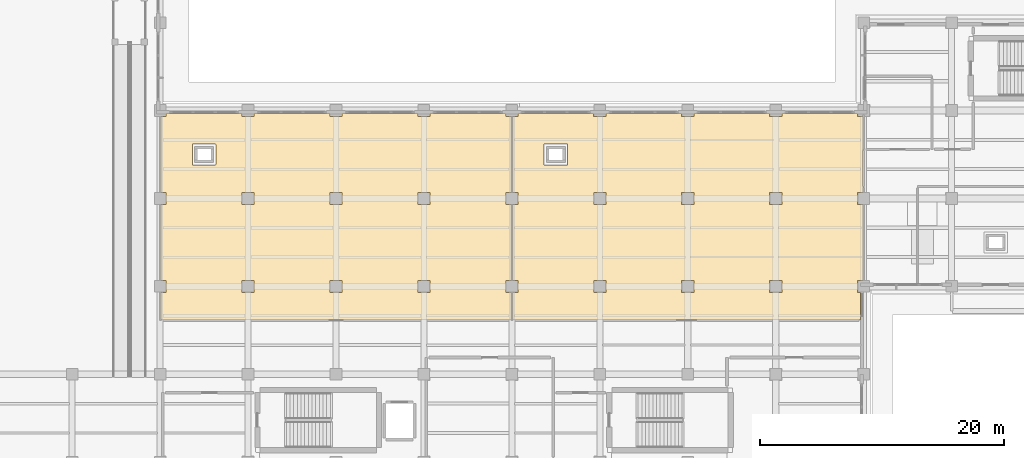
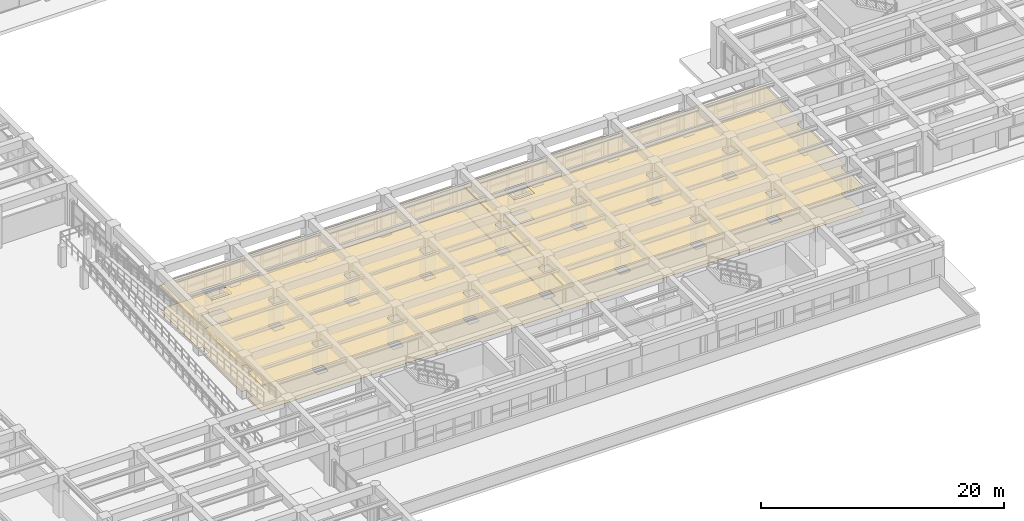
# One storey, part 57 of 64: 4 coverings.
"""IFC4 building model written with IfcOpenShell, lengths in metres."""

from ifc_helpers import new_model, si_unit, direction, frame, origin, place, context, subcontext, project, spatial, polyline, outline, extrude, material, layer, layer_set, type_object, element, save


model = new_model("IFC4")

# Units and contexts
model_context = context("Model", 3, precision=1e-05, world=origin(), true_north=direction((0.0, 1.0)))
body_context = subcontext(model_context, "Body", "Model", "MODEL_VIEW")
ifc_project = project(units=[si_unit("LENGTHUNIT", "METRE"), si_unit("AREAUNIT", "SQUARE_METRE"), si_unit("VOLUMEUNIT", "CUBIC_METRE"), si_unit("PLANEANGLEUNIT", "RADIAN"), si_unit("MASSUNIT", "GRAM", prefix="KILO")], contexts=[model_context])

# Site, building, storey
site_placement = place(None, origin())
site = spatial("IfcSite", under=ifc_project, at=site_placement, CompositionType="ELEMENT")
building_placement = place(site_placement, origin())
building = spatial("IfcBuilding", under=site, at=building_placement, Name="Solenvale Faculty of Natural Sciences", CompositionType="ELEMENT")
storey_placement = place(building_placement, origin())
storey = spatial("IfcBuildingStorey", under=building, at=storey_placement, Name="L00", CompositionType="ELEMENT", Elevation=0.0)

# Coverings
ifc_material_1 = material(Name="Acoustic mineral-timber ceiling", Category="wood")
ifc_layer_1 = layer(ifc_material_1, 0.02490234375)
ifc_layer_set_1 = layer_set([ifc_layer_1], Name="Acoustic mineral-timber ceiling")
covering_type_1 = type_object("IfcCoveringType", Name="COV-CEIL-AC25", PredefinedType="CEILING", material=ifc_layer_set_1)
covering_1_placement = place(storey_placement, frame((0.0, 0.0, 2.574951171875)))
element("IfcCovering", 1, at=covering_1_placement, inside=storey, type_object=covering_type_1, Name="L00 Seminar Room Acoustic Ceiling", PredefinedType="CEILING", context=body_context, shape_type="SweptSolid", body=[
    extrude(outline(polyline([(64.27001953125, 50.159912109375), (64.299072265625, 50.135986328125), (64.300048828125, 49.910888671875), (64.31103515625, 49.89990234375), (65.29296875, 49.89990234375), (65.300048828125, 50.133056640625), (65.330078125, 50.159912109375), (71.469970703125, 50.159912109375), (71.4990234375, 50.135986328125), (71.5, 49.910888671875), (71.510986328125, 49.89990234375), (72.492919921875, 49.89990234375), (72.5, 50.133056640625), (72.530029296875, 50.159912109375), (78.669921875, 50.159912109375), (78.698974609375, 50.135986328125), (78.699951171875, 49.910888671875), (78.7109375, 49.89990234375), (79.693115234375, 49.89990234375), (79.699951171875, 50.133056640625), (79.72998046875, 50.159912109375), (85.8701171875, 50.159912109375), (85.89990234375, 50.133056640625), (85.905029296875, 49.90087890625), (86.368896484375, 49.89306640625), (86.3798828125, 49.8701171875), (86.3798828125, 43.72705078125), (86.35302734375, 43.699951171875), (85.90087890625, 43.694091796875), (85.89990234375, 42.7109375), (85.910888671875, 42.699951171875), (86.35302734375, 42.699951171875), (86.3798828125, 42.673095703125), (86.3798828125, 36.530029296875), (86.35302734375, 36.5), (85.90087890625, 36.493896484375), (85.89990234375, 35.510986328125), (85.910888671875, 35.5), (86.35302734375, 35.5), (86.37890625, 35.47607421875), (86.373046875, 33.2509765625), (86.35009765625, 33.239990234375), (57.65087890625, 33.2470703125), (57.639892578125, 33.27001953125), (57.639892578125, 35.472900390625), (57.6669921875, 35.5), (58.09912109375, 35.506103515625), (58.10009765625, 36.489013671875), (58.089111328125, 36.5), (57.6669921875, 36.5), (57.639892578125, 36.527099609375), (57.639892578125, 42.669921875), (57.6669921875, 42.699951171875), (58.09912109375, 42.7060546875), (58.10009765625, 43.68896484375), (58.089111328125, 43.699951171875), (57.6669921875, 43.699951171875), (57.639892578125, 43.72705078125), (57.64208984375, 49.881103515625), (57.669921875, 49.89990234375), (58.094970703125, 49.90087890625), (58.10009765625, 50.133056640625), (58.1298828125, 50.159912109375), (64.27001953125, 50.159912109375)]), holes=[polyline([(78.7109375, 36.5), (78.699951171875, 36.489013671875), (78.702880859375, 35.5029296875), (79.697021484375, 35.5029296875), (79.697021484375, 36.4970703125), (78.7109375, 36.5)]), polyline([(79.699951171875, 43.68896484375), (79.68896484375, 43.699951171875), (78.702880859375, 43.697021484375), (78.702880859375, 42.702880859375), (79.697021484375, 42.702880859375), (79.699951171875, 43.68896484375)]), polyline([(72.5, 36.489013671875), (72.489013671875, 36.5), (71.5029296875, 36.4970703125), (71.5029296875, 35.5029296875), (72.4970703125, 35.5029296875), (72.5, 36.489013671875)]), polyline([(72.5, 43.68896484375), (72.489013671875, 43.699951171875), (71.5029296875, 43.697021484375), (71.5029296875, 42.702880859375), (72.4970703125, 42.702880859375), (72.5, 43.68896484375)]), polyline([(65.300048828125, 36.489013671875), (65.2890625, 36.5), (64.302978515625, 36.4970703125), (64.302978515625, 35.5029296875), (65.297119140625, 35.5029296875), (65.300048828125, 36.489013671875)]), polyline([(65.300048828125, 43.68896484375), (65.2890625, 43.699951171875), (64.302978515625, 43.697021484375), (64.302978515625, 42.702880859375), (65.297119140625, 42.702880859375), (65.300048828125, 43.68896484375)]), polyline([(62.159912109375, 47.632080078125), (62.14990234375, 47.652099609375), (62.1298828125, 47.659912109375), (60.25, 47.652099609375), (60.239990234375, 47.6298828125), (60.248046875, 45.949951171875), (60.27001953125, 45.93994140625), (62.14990234375, 45.947998046875), (62.159912109375, 45.969970703125), (62.159912109375, 47.632080078125)])]), origin(), (0.0, 0.0, 1.0), 0.025146484375),
])
covering_2_placement = place(storey_placement, frame((0.0, 0.0, 2.574951171875)))
element("IfcCovering", 2, at=covering_2_placement, inside=storey, type_object=covering_type_1, Name="L00 Dry Physics Teaching Laboratory Acoustic Ceiling", PredefinedType="CEILING", context=body_context, shape_type="SweptSolid", body=[
    extrude(outline(polyline([(114.9599609375, 33.27001953125), (114.950927734375, 33.2490234375), (114.929931640625, 33.239990234375), (86.4560546875, 33.243896484375), (86.43994140625, 33.27001953125), (86.43994140625, 35.472900390625), (86.467041015625, 35.5), (86.89892578125, 35.506103515625), (86.89990234375, 36.489013671875), (86.888916015625, 36.5), (86.467041015625, 36.5), (86.43994140625, 36.527099609375), (86.43994140625, 42.669921875), (86.467041015625, 42.699951171875), (86.89892578125, 42.7060546875), (86.89990234375, 43.68896484375), (86.888916015625, 43.699951171875), (86.467041015625, 43.699951171875), (86.43994140625, 43.72705078125), (86.444091796875, 49.884033203125), (86.469970703125, 49.89990234375), (86.89501953125, 49.90087890625), (86.89990234375, 50.133056640625), (86.929931640625, 50.159912109375), (93.070068359375, 50.159912109375), (93.09912109375, 50.135986328125), (93.10009765625, 49.910888671875), (93.111083984375, 49.89990234375), (94.093017578125, 49.89990234375), (94.10009765625, 50.133056640625), (94.1298828125, 50.159912109375), (100.27001953125, 50.159912109375), (100.299072265625, 50.135986328125), (100.300048828125, 49.910888671875), (100.31103515625, 49.89990234375), (101.29296875, 49.89990234375), (101.300048828125, 50.133056640625), (101.330078125, 50.159912109375), (107.469970703125, 50.159912109375), (107.4990234375, 50.135986328125), (107.5, 49.910888671875), (107.510986328125, 49.89990234375), (108.492919921875, 49.89990234375), (108.5, 50.133056640625), (108.530029296875, 50.159912109375), (114.669921875, 50.159912109375), (114.699951171875, 50.133056640625), (114.705078125, 49.90087890625), (115.1640625, 49.89599609375), (115.179931640625, 49.8701171875), (115.179931640625, 47.2490234375), (115.159912109375, 47.199951171875), (115.159912109375, 44.199951171875), (115.179931640625, 44.15087890625), (115.179931640625, 43.72705078125), (115.153076171875, 43.699951171875), (114.7109375, 43.699951171875), (114.699951171875, 43.68896484375), (114.700927734375, 42.7060546875), (115.153076171875, 42.699951171875), (115.179931640625, 42.669921875), (115.179931640625, 36.527099609375), (115.153076171875, 36.5), (114.7109375, 36.5), (114.699951171875, 36.489013671875), (114.699951171875, 35.507080078125), (114.93310546875, 35.5), (114.9599609375, 35.472900390625), (114.9599609375, 33.27001953125)]), holes=[polyline([(107.510986328125, 36.5), (107.5, 36.489013671875), (107.5029296875, 35.5029296875), (108.4970703125, 35.5029296875), (108.4970703125, 36.4970703125), (107.510986328125, 36.5)]), polyline([(108.5, 43.68896484375), (108.489013671875, 43.699951171875), (107.5029296875, 43.697021484375), (107.5029296875, 42.702880859375), (108.4970703125, 42.702880859375), (108.5, 43.68896484375)]), polyline([(101.300048828125, 36.489013671875), (101.2890625, 36.5), (100.302978515625, 36.4970703125), (100.302978515625, 35.5029296875), (101.297119140625, 35.5029296875), (101.300048828125, 36.489013671875)]), polyline([(101.300048828125, 43.68896484375), (101.2890625, 43.699951171875), (100.302978515625, 43.697021484375), (100.302978515625, 42.702880859375), (101.297119140625, 42.702880859375), (101.300048828125, 43.68896484375)]), polyline([(94.10009765625, 36.489013671875), (94.089111328125, 36.5), (93.10302734375, 36.4970703125), (93.10302734375, 35.5029296875), (94.096923828125, 35.5029296875), (94.10009765625, 36.489013671875)]), polyline([(94.10009765625, 43.68896484375), (94.089111328125, 43.699951171875), (93.10302734375, 43.697021484375), (93.10302734375, 42.702880859375), (94.096923828125, 42.702880859375), (94.10009765625, 43.68896484375)]), polyline([(90.931884765625, 45.93994140625), (90.951904296875, 45.949951171875), (90.9599609375, 45.969970703125), (90.9599609375, 47.6298828125), (90.949951171875, 47.652099609375), (89.070068359375, 47.659912109375), (89.048095703125, 47.64990234375), (89.0400390625, 45.969970703125), (89.050048828125, 45.947998046875), (90.931884765625, 45.93994140625)])]), origin(), (0.0, 0.0, 1.0), 0.025146484375),
])
ifc_material_2 = material(Name="Polished slate terrazzo flooring", Category="masonry")
ifc_layer_2 = layer(ifc_material_2, 0.01806640625)
ifc_layer_set_2 = layer_set([ifc_layer_2], Name="Polished slate terrazzo flooring")
covering_type_2 = type_object("IfcCoveringType", Name="COV-FLR-TRZ18", PredefinedType="FLOORING", material=ifc_layer_set_2)
covering_3_placement = place(storey_placement, origin())
element("IfcCovering", 3, at=covering_3_placement, inside=storey, type_object=covering_type_2, Name="L00 Seminar Room Floor Finish", PredefinedType="FLOORING", context=body_context, shape_type="SweptSolid", body=[
    extrude(outline(polyline([(64.27001953125, 50.159912109375), (64.299072265625, 50.135986328125), (64.300048828125, 49.910888671875), (64.31103515625, 49.89990234375), (65.29296875, 49.89990234375), (65.300048828125, 50.133056640625), (65.330078125, 50.159912109375), (71.469970703125, 50.159912109375), (71.4990234375, 50.135986328125), (71.5, 49.910888671875), (71.510986328125, 49.89990234375), (72.492919921875, 49.89990234375), (72.5, 50.133056640625), (72.530029296875, 50.159912109375), (78.669921875, 50.159912109375), (78.698974609375, 50.135986328125), (78.699951171875, 49.910888671875), (78.7109375, 49.89990234375), (79.693115234375, 49.89990234375), (79.699951171875, 50.133056640625), (79.72998046875, 50.159912109375), (85.8701171875, 50.159912109375), (85.89990234375, 50.133056640625), (85.905029296875, 49.90087890625), (86.368896484375, 49.89306640625), (86.3798828125, 49.8701171875), (86.3798828125, 43.72705078125), (86.35302734375, 43.699951171875), (85.90087890625, 43.694091796875), (85.89990234375, 42.7109375), (85.910888671875, 42.699951171875), (86.35302734375, 42.699951171875), (86.3798828125, 42.673095703125), (86.3798828125, 36.530029296875), (86.35302734375, 36.5), (85.90087890625, 36.493896484375), (85.89990234375, 35.510986328125), (85.910888671875, 35.5), (86.35302734375, 35.5), (86.37890625, 35.47607421875), (86.373046875, 33.2509765625), (86.35009765625, 33.239990234375), (57.65087890625, 33.2470703125), (57.639892578125, 33.27001953125), (57.639892578125, 35.472900390625), (57.6669921875, 35.5), (58.09912109375, 35.506103515625), (58.10009765625, 36.489013671875), (58.089111328125, 36.5), (57.6669921875, 36.5), (57.639892578125, 36.527099609375), (57.639892578125, 42.669921875), (57.6669921875, 42.699951171875), (58.09912109375, 42.7060546875), (58.10009765625, 43.68896484375), (58.089111328125, 43.699951171875), (57.6669921875, 43.699951171875), (57.639892578125, 43.72705078125), (57.64208984375, 49.881103515625), (57.669921875, 49.89990234375), (58.094970703125, 49.90087890625), (58.10009765625, 50.133056640625), (58.1298828125, 50.159912109375), (64.27001953125, 50.159912109375)]), holes=[polyline([(78.7109375, 36.5), (78.699951171875, 36.489013671875), (78.702880859375, 35.5029296875), (79.697021484375, 35.5029296875), (79.697021484375, 36.4970703125), (78.7109375, 36.5)]), polyline([(79.699951171875, 43.68896484375), (79.68896484375, 43.699951171875), (78.702880859375, 43.697021484375), (78.702880859375, 42.702880859375), (79.697021484375, 42.702880859375), (79.699951171875, 43.68896484375)]), polyline([(72.5, 36.489013671875), (72.489013671875, 36.5), (71.5029296875, 36.4970703125), (71.5029296875, 35.5029296875), (72.4970703125, 35.5029296875), (72.5, 36.489013671875)]), polyline([(72.5, 43.68896484375), (72.489013671875, 43.699951171875), (71.5029296875, 43.697021484375), (71.5029296875, 42.702880859375), (72.4970703125, 42.702880859375), (72.5, 43.68896484375)]), polyline([(65.300048828125, 36.489013671875), (65.2890625, 36.5), (64.302978515625, 36.4970703125), (64.302978515625, 35.5029296875), (65.297119140625, 35.5029296875), (65.300048828125, 36.489013671875)]), polyline([(65.300048828125, 43.68896484375), (65.2890625, 43.699951171875), (64.302978515625, 43.697021484375), (64.302978515625, 42.702880859375), (65.297119140625, 42.702880859375), (65.300048828125, 43.68896484375)]), polyline([(62.159912109375, 47.632080078125), (62.14990234375, 47.652099609375), (62.1298828125, 47.659912109375), (60.25, 47.652099609375), (60.239990234375, 47.6298828125), (60.248046875, 45.949951171875), (60.27001953125, 45.93994140625), (62.14990234375, 45.947998046875), (62.159912109375, 45.969970703125), (62.159912109375, 47.632080078125)])]), origin(), (0.0, 0.0, 1.0), 0.01806640625),
])
ifc_material_3 = material(Name="Seamless laboratory vinyl flooring")
ifc_layer_3 = layer(ifc_material_3, 0.008056640625)
ifc_layer_set_3 = layer_set([ifc_layer_3], Name="Seamless laboratory vinyl flooring")
covering_type_3 = type_object("IfcCoveringType", Name="COV-FLR-VNL08", PredefinedType="FLOORING", material=ifc_layer_set_3)
covering_4_placement = place(storey_placement, origin())
element("IfcCovering", 4, at=covering_4_placement, inside=storey, type_object=covering_type_3, Name="L00 Dry Physics Teaching Laboratory Floor Finish", PredefinedType="FLOORING", context=body_context, shape_type="SweptSolid", body=[
    extrude(outline(polyline([(114.9599609375, 33.27001953125), (114.950927734375, 33.2490234375), (114.929931640625, 33.239990234375), (86.4560546875, 33.243896484375), (86.43994140625, 33.27001953125), (86.43994140625, 35.472900390625), (86.467041015625, 35.5), (86.89892578125, 35.506103515625), (86.89990234375, 36.489013671875), (86.888916015625, 36.5), (86.467041015625, 36.5), (86.43994140625, 36.527099609375), (86.43994140625, 42.669921875), (86.467041015625, 42.699951171875), (86.89892578125, 42.7060546875), (86.89990234375, 43.68896484375), (86.888916015625, 43.699951171875), (86.467041015625, 43.699951171875), (86.43994140625, 43.72705078125), (86.444091796875, 49.884033203125), (86.469970703125, 49.89990234375), (86.89501953125, 49.90087890625), (86.89990234375, 50.133056640625), (86.929931640625, 50.159912109375), (93.070068359375, 50.159912109375), (93.09912109375, 50.135986328125), (93.10009765625, 49.910888671875), (93.111083984375, 49.89990234375), (94.093017578125, 49.89990234375), (94.10009765625, 50.133056640625), (94.1298828125, 50.159912109375), (100.27001953125, 50.159912109375), (100.299072265625, 50.135986328125), (100.300048828125, 49.910888671875), (100.31103515625, 49.89990234375), (101.29296875, 49.89990234375), (101.300048828125, 50.133056640625), (101.330078125, 50.159912109375), (107.469970703125, 50.159912109375), (107.4990234375, 50.135986328125), (107.5, 49.910888671875), (107.510986328125, 49.89990234375), (108.492919921875, 49.89990234375), (108.5, 50.133056640625), (108.530029296875, 50.159912109375), (114.669921875, 50.159912109375), (114.699951171875, 50.133056640625), (114.705078125, 49.90087890625), (115.1640625, 49.89599609375), (115.179931640625, 49.8701171875), (115.179931640625, 47.2490234375), (115.159912109375, 47.199951171875), (115.159912109375, 44.199951171875), (115.179931640625, 44.15087890625), (115.179931640625, 43.72705078125), (115.153076171875, 43.699951171875), (114.7109375, 43.699951171875), (114.699951171875, 43.68896484375), (114.700927734375, 42.7060546875), (115.153076171875, 42.699951171875), (115.179931640625, 42.669921875), (115.179931640625, 36.527099609375), (115.153076171875, 36.5), (114.7109375, 36.5), (114.699951171875, 36.489013671875), (114.699951171875, 35.507080078125), (114.93310546875, 35.5), (114.9599609375, 35.472900390625), (114.9599609375, 33.27001953125)]), holes=[polyline([(107.510986328125, 36.5), (107.5, 36.489013671875), (107.5029296875, 35.5029296875), (108.4970703125, 35.5029296875), (108.4970703125, 36.4970703125), (107.510986328125, 36.5)]), polyline([(108.5, 43.68896484375), (108.489013671875, 43.699951171875), (107.5029296875, 43.697021484375), (107.5029296875, 42.702880859375), (108.4970703125, 42.702880859375), (108.5, 43.68896484375)]), polyline([(101.300048828125, 36.489013671875), (101.2890625, 36.5), (100.302978515625, 36.4970703125), (100.302978515625, 35.5029296875), (101.297119140625, 35.5029296875), (101.300048828125, 36.489013671875)]), polyline([(101.300048828125, 43.68896484375), (101.2890625, 43.699951171875), (100.302978515625, 43.697021484375), (100.302978515625, 42.702880859375), (101.297119140625, 42.702880859375), (101.300048828125, 43.68896484375)]), polyline([(94.10009765625, 36.489013671875), (94.089111328125, 36.5), (93.10302734375, 36.4970703125), (93.10302734375, 35.5029296875), (94.096923828125, 35.5029296875), (94.10009765625, 36.489013671875)]), polyline([(94.10009765625, 43.68896484375), (94.089111328125, 43.699951171875), (93.10302734375, 43.697021484375), (93.10302734375, 42.702880859375), (94.096923828125, 42.702880859375), (94.10009765625, 43.68896484375)]), polyline([(90.931884765625, 45.93994140625), (90.951904296875, 45.949951171875), (90.9599609375, 45.969970703125), (90.9599609375, 47.6298828125), (90.949951171875, 47.652099609375), (89.070068359375, 47.659912109375), (89.048095703125, 47.64990234375), (89.0400390625, 45.969970703125), (89.050048828125, 45.947998046875), (90.931884765625, 45.93994140625)])]), origin(), (0.0, 0.0, 1.0), 0.008056640625),
])

save(model, "model.ifc")
